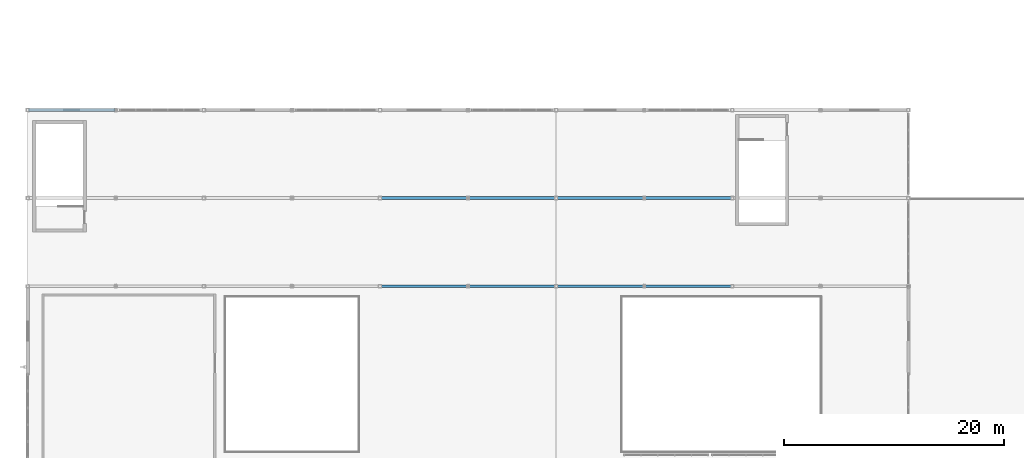
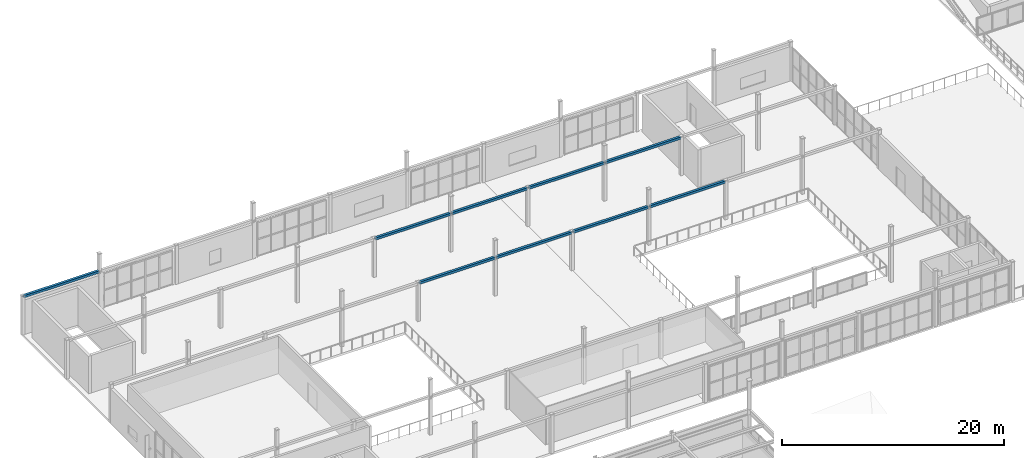
# One storey, part 28 of 83: 9 members.
"""IFC4 building model written with IfcOpenShell, lengths in metres."""

from ifc_helpers import new_model, si_unit, direction, frame, origin, origin_2d, place, context, subcontext, project, spatial, hollow_rectangle, extrude, material, material_profile, profile_set, type_object, element, save


model = new_model("IFC4")

# Units and contexts
model_context = context("Model", 3, precision=1e-05, world=origin(), true_north=direction((0.0, 1.0)))
body_context = subcontext(model_context, "Body", "Model", "MODEL_VIEW")
ifc_project = project(units=[si_unit("LENGTHUNIT", "METRE"), si_unit("AREAUNIT", "SQUARE_METRE"), si_unit("VOLUMEUNIT", "CUBIC_METRE"), si_unit("PLANEANGLEUNIT", "RADIAN"), si_unit("MASSUNIT", "GRAM", prefix="KILO")], contexts=[model_context])

# Site, building, storey
site_placement = place(None, origin())
site = spatial("IfcSite", under=ifc_project, at=site_placement, CompositionType="ELEMENT")
building_placement = place(site_placement, origin())
building = spatial("IfcBuilding", under=site, at=building_placement, Name="Drelvath Fold Interchange", CompositionType="ELEMENT")
storey_placement = place(building_placement, frame((0.0, 0.0, 11.199951171875)))
storey = spatial("IfcBuildingStorey", under=building, at=storey_placement, Name="L02", CompositionType="ELEMENT", Elevation=11.199951171875)

# Members
ifc_material = material(Name="Steel ASTM A500 Grade C", Category="steel")
ifc_material_profile = material_profile(ifc_material, hollow_rectangle(XDim=0.25390625, YDim=0.25390625, WallThickness=0.01171875, at=origin_2d()), Name="HSS10X10X1/2")
ifc_profile_set = profile_set([ifc_material_profile], Name="Steel ASTM A500 Grade C")
member_type = type_object("IfcMemberType", Name="FP-CHD254", PredefinedType="CHORD", material=ifc_profile_set)
for number, where, z_axis, x_axis, name in (
    (1, (4.080078125, 99.0, 4.150146484375), (1.0, 0.0, 0.0), (0.0, 1.0, 0.0), "L02 Folded-plate roof truss tie chord FP-CHD254"),
    (2, (36.080078125, 83.0, 4.150146484375), (1.0, 0.0, 0.0), (0.0, 1.0, 0.0), "L02 Folded-plate roof truss tie chord FP-CHD254"),
    (3, (36.080078125, 91.0, 4.150146484375), (1.0, 0.0, 0.0), (0.0, 1.0, 0.0), "L02 Folded-plate roof truss tie chord FP-CHD254"),
    (4, (44.080078125, 83.0, 4.150146484375), (1.0, 0.0, 0.0), (0.0, 1.0, 0.0), "L02 Folded-plate roof truss tie chord FP-CHD254"),
    (5, (44.080078125, 91.0, 4.150146484375), (1.0, 0.0, 0.0), (0.0, 1.0, 0.0), "L02 Folded-plate roof truss tie chord FP-CHD254"),
    (6, (52.080078125, 83.0, 4.150146484375), (1.0, 0.0, 0.0), (0.0, 1.0, 0.0), "L02 Folded-plate roof truss tie chord FP-CHD254"),
    (7, (52.080078125, 91.0, 4.150146484375), (1.0, 0.0, 0.0), (0.0, 1.0, 0.0), "L02 Folded-plate roof truss tie chord FP-CHD254"),
    (8, (60.080078125, 83.0, 4.150146484375), (1.0, 0.0, 0.0), (0.0, 1.0, 0.0), "L02 Folded-plate roof truss tie chord FP-CHD254"),
    (9, (60.080078125, 91.0, 4.150146484375), (1.0, 0.0, 0.0), (0.0, 1.0, 0.0), "L02 Folded-plate roof truss tie chord FP-CHD254"),
):
    element("IfcMember", number, at=place(storey_placement, frame(where, z_axis=z_axis, x_axis=x_axis)), inside=storey, type_object=member_type, Name=name, PredefinedType="CHORD", context=body_context, shape_type="SweptSolid", body=[
        extrude(hollow_rectangle(XDim=0.25390625, YDim=0.25390625, WallThickness=0.01171875, at=origin_2d()), origin(), (0.0, 0.0, 1.0), 7.83984375),
    ])

save(model, "model.ifc")
